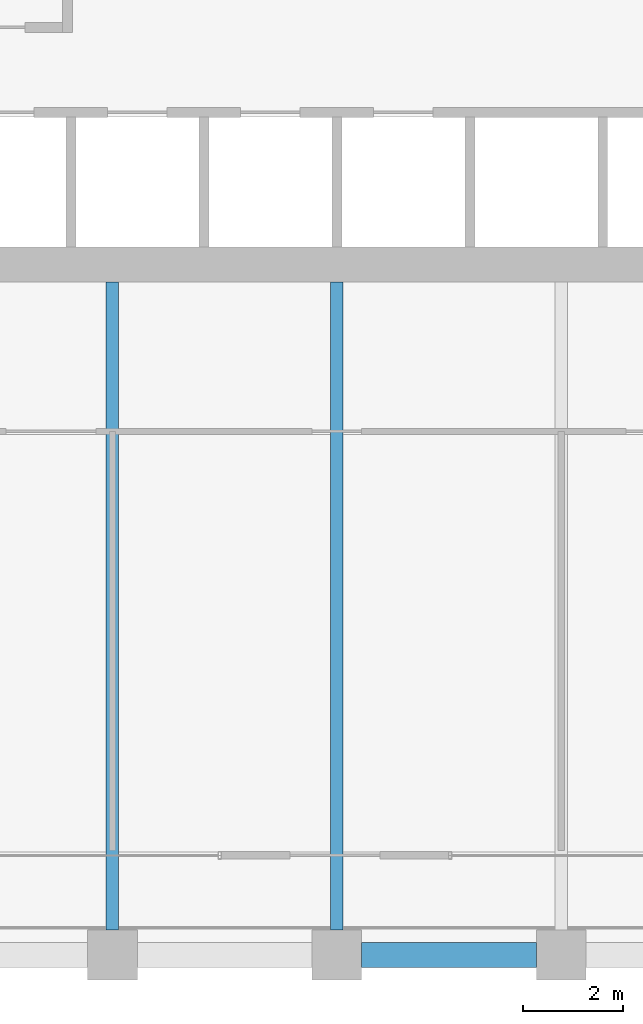
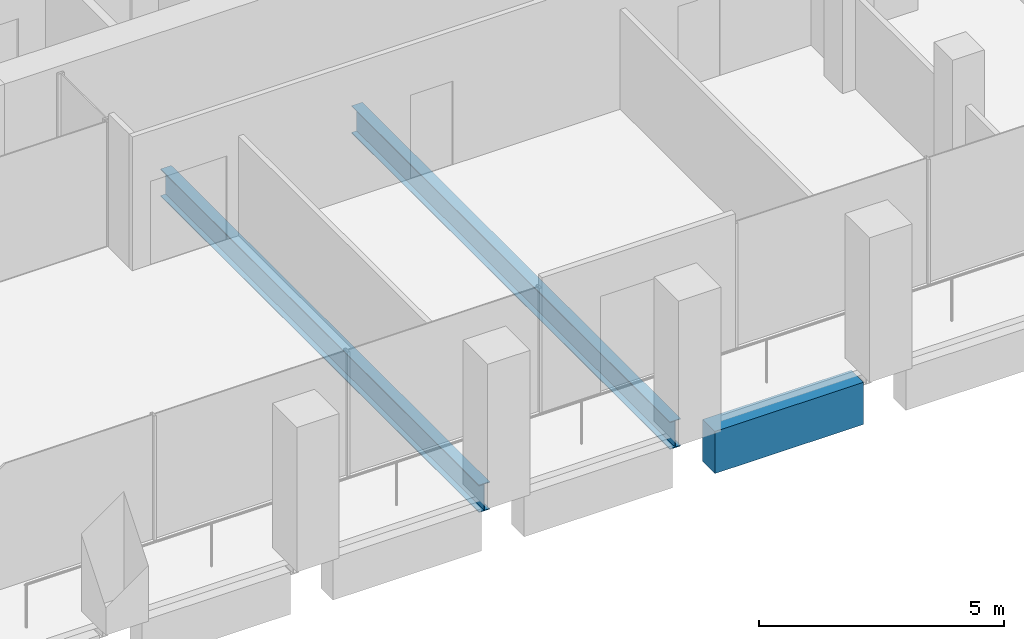
# One storey, part 8 of 45: 3 beams.
"""IFC4 building model written with IfcOpenShell, lengths in metres."""

from ifc_helpers import new_model, si_unit, direction, frame, origin, origin_2d, place, context, subcontext, project, spatial, rectangle, i_section, extrude, material, material_profile, profile_set, type_object, element, save


model = new_model("IFC4")

# Units and contexts
model_context = context("Model", 3, precision=1e-05, world=origin(), true_north=direction((0.0, 1.0)))
body_context = subcontext(model_context, "Body", "Model", "MODEL_VIEW")
ifc_project = project(units=[si_unit("LENGTHUNIT", "METRE"), si_unit("AREAUNIT", "SQUARE_METRE"), si_unit("VOLUMEUNIT", "CUBIC_METRE"), si_unit("PLANEANGLEUNIT", "RADIAN"), si_unit("MASSUNIT", "GRAM", prefix="KILO")], contexts=[model_context])

# Site, building, storey
site_placement = place(None, origin())
site = spatial("IfcSite", under=ifc_project, at=site_placement, CompositionType="ELEMENT")
building_placement = place(site_placement, origin())
building = spatial("IfcBuilding", under=site, at=building_placement, Name="Altepetl Exchange Towers", CompositionType="ELEMENT")
storey_placement = place(building_placement, frame((0.0, 0.0, 110.0)))
storey = spatial("IfcBuildingStorey", under=building, at=storey_placement, Name="L27", CompositionType="ELEMENT", Elevation=110.0)

# Beams
ifc_material_1 = material(Name="Steel S355", Category="steel")
ifc_material_profile_1 = material_profile(ifc_material_1, i_section(OverallWidth=0.25390625, OverallDepth=0.68408203125, WebThickness=0.012451171875, FlangeThickness=0.018798828125, at=origin_2d()), Name="W27X94")
ifc_profile_set_1 = profile_set([ifc_material_profile_1], Name="Steel S355")
beam_type_1 = type_object("IfcBeamType", Name="Floor beam W27X94", PredefinedType="BEAM", material=ifc_profile_set_1)
for number, where, z_axis, x_axis, name in (
    (1, (45.0, 27.5, -0.491943359375), (0.0, 1.0, 0.0), (-1.0, 0.0, 0.0), "bm:A:L27:015"),
    (2, (49.5, 27.5, -0.491943359375), (0.0, 1.0, 0.0), (-1.0, 0.0, 0.0), "bm:A:L27:016"),
):
    element("IfcBeam", number, at=place(storey_placement, frame(where, z_axis=z_axis, x_axis=x_axis)), inside=storey, type_object=beam_type_1, Name=name, PredefinedType="BEAM", context=body_context, shape_type="SweptSolid", body=[
        extrude(i_section(OverallWidth=0.25390625, OverallDepth=0.68408203125, WebThickness=0.012451171875, FlangeThickness=0.018798828125, at=origin_2d()), origin(), (0.0, 0.0, 1.0), 13.0),
    ])
ifc_material_2 = material(Name="Concrete C50/60 precast with cantera blanca facing", Category="concrete")
ifc_material_profile_2 = material_profile(ifc_material_2, rectangle(XDim=0.5, YDim=1.050048828125, at=origin_2d()), Name="500 x 1050")
ifc_profile_set_2 = profile_set([ifc_material_profile_2], Name="Concrete C50/60 precast with cantera blanca facing")
beam_type_2 = type_object("IfcBeamType", Name="Spandrel beam 500x1050 cantera blanca", PredefinedType="SPANDREL", material=ifc_profile_set_2)
beam_placement = place(storey_placement, frame((50.0, 27.0, -0.675048828125), z_axis=(1.0, 0.0, 0.0), x_axis=(0.0, 1.0, 0.0)))
element("IfcBeam", 3, at=beam_placement, inside=storey, type_object=beam_type_2, Name="sp:A:L27:004", PredefinedType="SPANDREL", context=body_context, shape_type="SweptSolid", body=[
    extrude(rectangle(XDim=0.5, YDim=1.050048828125, at=origin_2d()), origin(), (0.0, 0.0, 1.0), 3.5),
])

save(model, "model.ifc")
